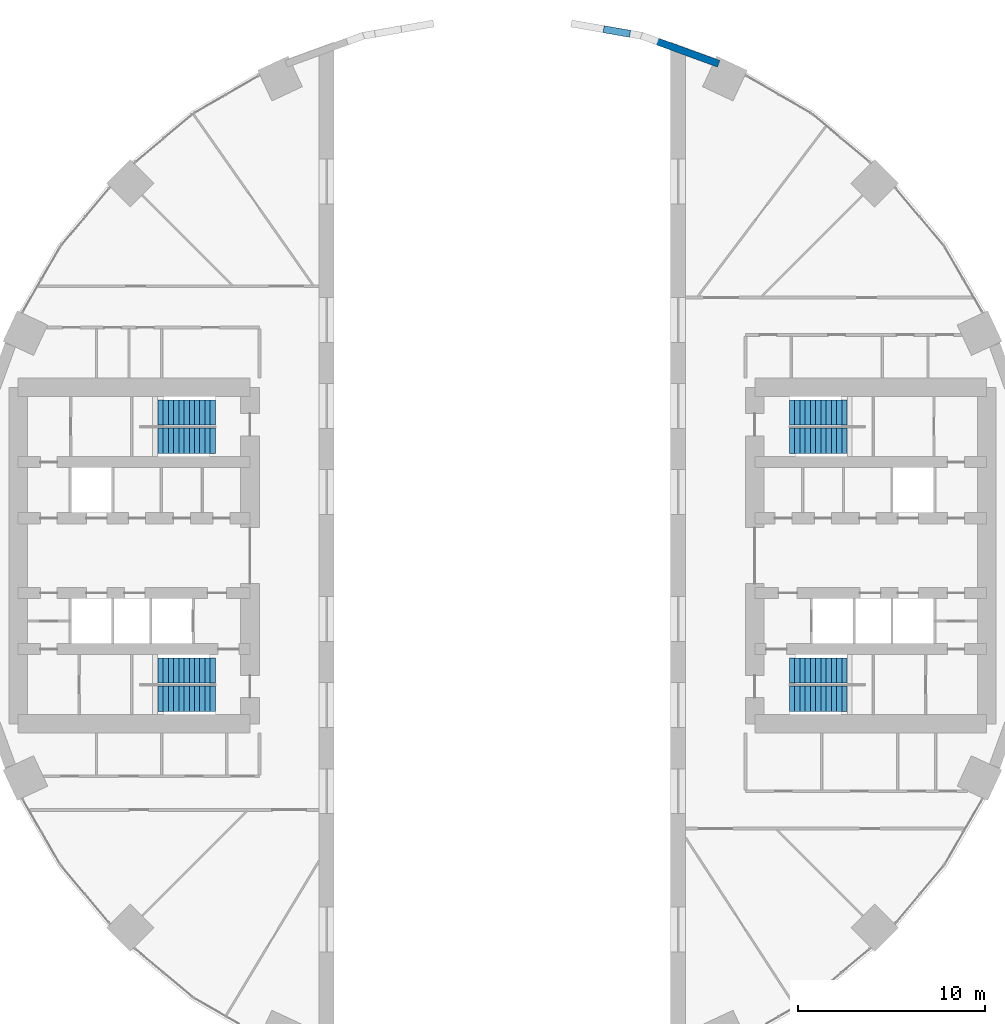
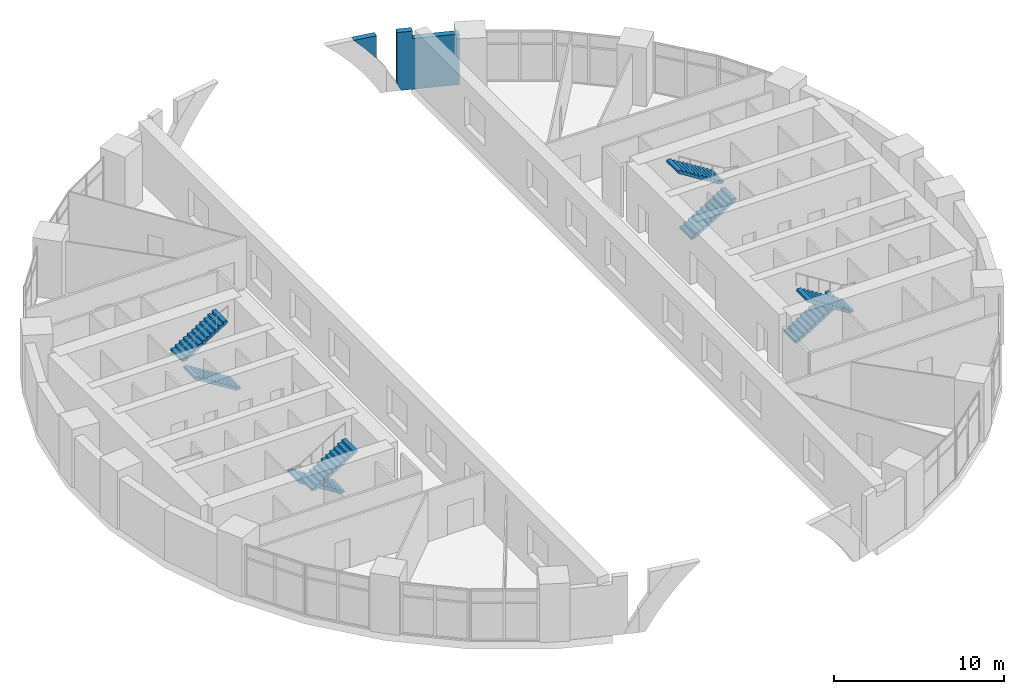
# One storey, part 12 of 13: 8 stair flights, 2 walls, 4 elements without a shape of their own.
"""IFC4 building model written with IfcOpenShell, lengths in metres."""

from ifc_helpers import new_model, si_unit, direction, frame, origin, place, context, subcontext, project, spatial, polyline, outline, extrude, material, layer, layer_set, type_object, element, aggregate, save


model = new_model("IFC4")

# Units and contexts
model_context = context("Model", 3, precision=1e-05, world=origin(), true_north=direction((0.0, 1.0)))
body_context = subcontext(model_context, "Body", "Model", "MODEL_VIEW")
ifc_project = project(units=[si_unit("LENGTHUNIT", "METRE"), si_unit("AREAUNIT", "SQUARE_METRE"), si_unit("VOLUMEUNIT", "CUBIC_METRE"), si_unit("PLANEANGLEUNIT", "RADIAN"), si_unit("MASSUNIT", "GRAM", prefix="KILO")], contexts=[model_context])

# Site, building, storey
site_placement = place(None, origin())
site = spatial("IfcSite", under=ifc_project, at=site_placement, CompositionType="ELEMENT")
building_placement = place(site_placement, origin())
building = spatial("IfcBuilding", under=site, at=building_placement, Name="Saqina Gate Tower", CompositionType="ELEMENT")
storey_placement = place(building_placement, frame((0.0, 0.0, 13.39990234375)))
storey = spatial("IfcBuildingStorey", under=building, at=storey_placement, Name="L03", CompositionType="ELEMENT", Elevation=13.39990234375)

# Walls
ifc_material_1 = material(Name="Glazed ceramic tile", Category="ceramic")
ifc_layer = layer(ifc_material_1, 0.3798828125)
ifc_layer_set = layer_set([ifc_layer], Name="FW-ARCH")
wall_type = type_object("IfcWallType", Name="FW-ARCH", PredefinedType="SOLIDWALL", material=ifc_layer_set)
wall_1_placement = place(storey_placement, frame((8.99072265625, 27.44287109375, 0.0), z_axis=(0.342026905008, 0.939688050207, 0.001991117406), x_axis=(0.93968991291, -0.342027583063, 3.2668e-08)))
element("IfcWall", 1, at=wall_1_placement, inside=storey, type_object=wall_type, Name="Arch frame wall L03 facet 7", PredefinedType="SOLIDWALL", context=body_context, shape_type="SweptSolid", body=[
    extrude(outline(polyline([(0.0, 0.0), (2.810119309704452, -2.168404344971009e-19), (2.8101633433033313, -3.650153701678554), (4.4033598879278454e-05, -3.650153701678554), (0.00023214922489823693, -4.200203889688386), (-0.9351393956652897, -4.200203611963998), (-0.9352440084634126, -3.65015388074659), (-0.9351834301494684, -0.5229503546293558), (-0.6567874697884446, -8.514178313821872e-08), (0.0, 0.0)])), origin(), (0.0, 0.0, -1.0), 0.3798828125),
])
wall_2_placement = place(storey_placement, frame((6.85498046875, 28.092041015625, 3.650146484375), z_axis=(0.173592249401, 0.984815515908, 0.002032381516), x_axis=(-0.000403885005, -0.001992521419, 0.999997933366)))
element("IfcWall", 2, at=wall_2_placement, inside=storey, type_object=wall_type, Name="Arch frame wall L03 facet 8", PredefinedType="SOLIDWALL", context=body_context, shape_type="SweptSolid", body=[
    extrude(outline(polyline([(0.0, 0.0), (0.5500502222569829, 1.3552527156068805e-20), (0.550124360957558, -1.4326541699575994), (-0.17720772804126542, -0.745017593453658), (-1.0874041853396872, 8.54205205334078e-05), (0.0, 0.0)])), origin(), (0.0, 0.0, -1.0), 0.3798828125),
])

# Stair, stair flights
ifc_material_2 = material(Name="Concrete C40/50", Category="concrete")
stair_type = type_object("IfcStairType", Name="EXIT STAIR", PredefinedType="HALF_TURN_STAIR", material=ifc_material_2)
stair_1_placement = place(storey_placement, origin())
stair_1 = element("IfcStair", 3, at=stair_1_placement, inside=storey, type_object=stair_type, Name="EXIT STAIR 1", PredefinedType="HALF_TURN_STAIR")
ifc_material_3 = material(Name="Concrete C40/50", Category="concrete")
stair_flight_type = type_object("IfcStairFlightType", Name="EXIT STAIR FLIGHT", PredefinedType="STRAIGHT", material=ifc_material_3)
stair_flight_1_placement = place(storey_placement, frame((15.35009765625, 6.1416015625, 0.0), z_axis=(0.0, 0.0, 1.0), x_axis=(1.0, 0.0, 0.0)))
stair_flight_1 = element("IfcStairFlight", 4, at=stair_flight_1_placement, type_object=stair_flight_type, Name="EXIT STAIR 1 FLIGHT 1", NumberOfRisers=12, NumberOfTreads=11, PredefinedType="STRAIGHT", RiserHeight=0.175, TreadLength=0.28, context=body_context, shape_type="SweptSolid", body=[
    extrude(outline(polyline([(0.0, 0.0), (0.0, 0.175048828125), (0.280029296875, 0.175048828125), (0.280029296875, 0.35009765625), (0.56005859375, 0.35009765625), (0.56005859375, 0.52490234375), (0.840087890625, 0.52490234375), (0.840087890625, 0.699951171875), (1.1201171875, 0.699951171875), (1.1201171875, 0.875), (1.39990234375, 0.875), (1.39990234375, 1.050048828125), (1.679931640625, 1.050048828125), (1.679931640625, 1.22509765625), (1.9599609375, 1.22509765625), (1.9599609375, 1.39990234375), (2.239990234375, 1.39990234375), (2.239990234375, 1.574951171875), (2.52001953125, 1.574951171875), (2.52001953125, 1.75), (2.800048828125, 1.75), (2.800048828125, 1.925048828125), (3.080078125, 1.925048828125), (3.080078125, 2.10009765625), (3.080078125, 1.748291015625), (0.28271484375, 0.0), (0.0, 0.0)])), frame((0.0, 0.675048828125, 0.0), z_axis=(0.0, -1.0, 0.0), x_axis=(1.0, 0.0, 0.0)), (0.0, 0.0, 1.0), 1.35009765625),
])
stair_flight_2_placement = place(storey_placement, frame((18.429931640625, 7.658447265625, 2.10009765625), z_axis=(0.0, 0.0, 1.0), x_axis=(-1.0, 0.0, 0.0)))
stair_flight_2 = element("IfcStairFlight", 5, at=stair_flight_2_placement, type_object=stair_flight_type, Name="EXIT STAIR 1 FLIGHT 2", NumberOfRisers=12, NumberOfTreads=11, PredefinedType="STRAIGHT", RiserHeight=0.175, TreadLength=0.28, context=body_context, shape_type="SweptSolid", body=[
    extrude(outline(polyline([(0.0, 0.0), (0.0, 0.175048828125), (0.280029296875, 0.175048828125), (0.280029296875, 0.35009765625), (0.56005859375, 0.35009765625), (0.56005859375, 0.52490234375), (0.840087890625, 0.52490234375), (0.840087890625, 0.699951171875), (1.1201171875, 0.699951171875), (1.1201171875, 0.875), (1.39990234375, 0.875), (1.39990234375, 1.050048828125), (1.679931640625, 1.050048828125), (1.679931640625, 1.22509765625), (1.9599609375, 1.22509765625), (1.9599609375, 1.39990234375), (2.239990234375, 1.39990234375), (2.239990234375, 1.574951171875), (2.52001953125, 1.574951171875), (2.52001953125, 1.75), (2.800048828125, 1.75), (2.800048828125, 1.925048828125), (3.080078125, 1.925048828125), (3.080078125, 2.10009765625), (3.080078125, 1.748291015625), (0.28271484375, 0.0), (0.0, 0.0)])), frame((0.0, 0.675048828125, 0.0), z_axis=(0.0, -1.0, 0.0), x_axis=(1.0, 0.0, 0.0)), (0.0, 0.0, 1.0), 1.35009765625),
])
aggregate(stair_1, [stair_flight_1, stair_flight_2])

stair_2_placement = place(storey_placement, origin())
stair_2 = element("IfcStair", 6, at=stair_2_placement, inside=storey, type_object=stair_type, Name="EXIT STAIR 2", PredefinedType="HALF_TURN_STAIR")
stair_flight_3_placement = place(storey_placement, frame((15.35009765625, -6.1416015625, 0.0), z_axis=(0.0, 0.0, 1.0), x_axis=(1.0, 0.0, 0.0)))
stair_flight_3 = element("IfcStairFlight", 7, at=stair_flight_3_placement, type_object=stair_flight_type, Name="EXIT STAIR 2 FLIGHT 1", NumberOfRisers=12, NumberOfTreads=11, PredefinedType="STRAIGHT", RiserHeight=0.175, TreadLength=0.28, context=body_context, shape_type="SweptSolid", body=[
    extrude(outline(polyline([(0.0, 0.0), (0.0, 0.175048828125), (0.280029296875, 0.175048828125), (0.280029296875, 0.35009765625), (0.56005859375, 0.35009765625), (0.56005859375, 0.52490234375), (0.840087890625, 0.52490234375), (0.840087890625, 0.699951171875), (1.1201171875, 0.699951171875), (1.1201171875, 0.875), (1.39990234375, 0.875), (1.39990234375, 1.050048828125), (1.679931640625, 1.050048828125), (1.679931640625, 1.22509765625), (1.9599609375, 1.22509765625), (1.9599609375, 1.39990234375), (2.239990234375, 1.39990234375), (2.239990234375, 1.574951171875), (2.52001953125, 1.574951171875), (2.52001953125, 1.75), (2.800048828125, 1.75), (2.800048828125, 1.925048828125), (3.080078125, 1.925048828125), (3.080078125, 2.10009765625), (3.080078125, 1.748291015625), (0.28271484375, 0.0), (0.0, 0.0)])), frame((0.0, 0.675048828125, 0.0), z_axis=(0.0, -1.0, 0.0), x_axis=(1.0, 0.0, 0.0)), (0.0, 0.0, 1.0), 1.35009765625),
])
stair_flight_4_placement = place(storey_placement, frame((18.429931640625, -7.658447265625, 2.10009765625), z_axis=(0.0, 0.0, 1.0), x_axis=(-1.0, 0.0, 0.0)))
stair_flight_4 = element("IfcStairFlight", 8, at=stair_flight_4_placement, type_object=stair_flight_type, Name="EXIT STAIR 2 FLIGHT 2", NumberOfRisers=12, NumberOfTreads=11, PredefinedType="STRAIGHT", RiserHeight=0.175, TreadLength=0.28, context=body_context, shape_type="SweptSolid", body=[
    extrude(outline(polyline([(0.0, 0.0), (0.0, 0.175048828125), (0.280029296875, 0.175048828125), (0.280029296875, 0.35009765625), (0.56005859375, 0.35009765625), (0.56005859375, 0.52490234375), (0.840087890625, 0.52490234375), (0.840087890625, 0.699951171875), (1.1201171875, 0.699951171875), (1.1201171875, 0.875), (1.39990234375, 0.875), (1.39990234375, 1.050048828125), (1.679931640625, 1.050048828125), (1.679931640625, 1.22509765625), (1.9599609375, 1.22509765625), (1.9599609375, 1.39990234375), (2.239990234375, 1.39990234375), (2.239990234375, 1.574951171875), (2.52001953125, 1.574951171875), (2.52001953125, 1.75), (2.800048828125, 1.75), (2.800048828125, 1.925048828125), (3.080078125, 1.925048828125), (3.080078125, 2.10009765625), (3.080078125, 1.748291015625), (0.28271484375, 0.0), (0.0, 0.0)])), frame((0.0, 0.675048828125, 0.0), z_axis=(0.0, -1.0, 0.0), x_axis=(1.0, 0.0, 0.0)), (0.0, 0.0, 1.0), 1.35009765625),
])
aggregate(stair_2, [stair_flight_3, stair_flight_4])

stair_3_placement = place(storey_placement, origin())
stair_3 = element("IfcStair", 9, at=stair_3_placement, inside=storey, type_object=stair_type, Name="EXIT STAIR 3", PredefinedType="HALF_TURN_STAIR")
stair_flight_5_placement = place(storey_placement, frame((-15.35009765625, 6.1416015625, 0.0), z_axis=(0.0, 0.0, 1.0), x_axis=(-1.0, 0.0, 0.0)))
stair_flight_5 = element("IfcStairFlight", 10, at=stair_flight_5_placement, type_object=stair_flight_type, Name="EXIT STAIR 3 FLIGHT 1", NumberOfRisers=12, NumberOfTreads=11, PredefinedType="STRAIGHT", RiserHeight=0.175, TreadLength=0.28, context=body_context, shape_type="SweptSolid", body=[
    extrude(outline(polyline([(0.0, 0.0), (0.0, 0.175048828125), (0.280029296875, 0.175048828125), (0.280029296875, 0.35009765625), (0.56005859375, 0.35009765625), (0.56005859375, 0.52490234375), (0.840087890625, 0.52490234375), (0.840087890625, 0.699951171875), (1.1201171875, 0.699951171875), (1.1201171875, 0.875), (1.39990234375, 0.875), (1.39990234375, 1.050048828125), (1.679931640625, 1.050048828125), (1.679931640625, 1.22509765625), (1.9599609375, 1.22509765625), (1.9599609375, 1.39990234375), (2.239990234375, 1.39990234375), (2.239990234375, 1.574951171875), (2.52001953125, 1.574951171875), (2.52001953125, 1.75), (2.800048828125, 1.75), (2.800048828125, 1.925048828125), (3.080078125, 1.925048828125), (3.080078125, 2.10009765625), (3.080078125, 1.748291015625), (0.28271484375, 0.0), (0.0, 0.0)])), frame((0.0, 0.675048828125, 0.0), z_axis=(0.0, -1.0, 0.0), x_axis=(1.0, 0.0, 0.0)), (0.0, 0.0, 1.0), 1.35009765625),
])
stair_flight_6_placement = place(storey_placement, frame((-18.429931640625, 7.658447265625, 2.10009765625), z_axis=(0.0, 0.0, 1.0), x_axis=(1.0, 0.0, 0.0)))
stair_flight_6 = element("IfcStairFlight", 11, at=stair_flight_6_placement, type_object=stair_flight_type, Name="EXIT STAIR 3 FLIGHT 2", NumberOfRisers=12, NumberOfTreads=11, PredefinedType="STRAIGHT", RiserHeight=0.175, TreadLength=0.28, context=body_context, shape_type="SweptSolid", body=[
    extrude(outline(polyline([(0.0, 0.0), (0.0, 0.175048828125), (0.280029296875, 0.175048828125), (0.280029296875, 0.35009765625), (0.56005859375, 0.35009765625), (0.56005859375, 0.52490234375), (0.840087890625, 0.52490234375), (0.840087890625, 0.699951171875), (1.1201171875, 0.699951171875), (1.1201171875, 0.875), (1.39990234375, 0.875), (1.39990234375, 1.050048828125), (1.679931640625, 1.050048828125), (1.679931640625, 1.22509765625), (1.9599609375, 1.22509765625), (1.9599609375, 1.39990234375), (2.239990234375, 1.39990234375), (2.239990234375, 1.574951171875), (2.52001953125, 1.574951171875), (2.52001953125, 1.75), (2.800048828125, 1.75), (2.800048828125, 1.925048828125), (3.080078125, 1.925048828125), (3.080078125, 2.10009765625), (3.080078125, 1.748291015625), (0.28271484375, 0.0), (0.0, 0.0)])), frame((0.0, 0.675048828125, 0.0), z_axis=(0.0, -1.0, 0.0), x_axis=(1.0, 0.0, 0.0)), (0.0, 0.0, 1.0), 1.35009765625),
])
aggregate(stair_3, [stair_flight_5, stair_flight_6])

stair_4_placement = place(storey_placement, origin())
stair_4 = element("IfcStair", 12, at=stair_4_placement, inside=storey, type_object=stair_type, Name="EXIT STAIR 4", PredefinedType="HALF_TURN_STAIR")
stair_flight_7_placement = place(storey_placement, frame((-15.35009765625, -6.1416015625, 0.0), z_axis=(0.0, 0.0, 1.0), x_axis=(-1.0, 0.0, 0.0)))
stair_flight_7 = element("IfcStairFlight", 13, at=stair_flight_7_placement, type_object=stair_flight_type, Name="EXIT STAIR 4 FLIGHT 1", NumberOfRisers=12, NumberOfTreads=11, PredefinedType="STRAIGHT", RiserHeight=0.175, TreadLength=0.28, context=body_context, shape_type="SweptSolid", body=[
    extrude(outline(polyline([(0.0, 0.0), (0.0, 0.175048828125), (0.280029296875, 0.175048828125), (0.280029296875, 0.35009765625), (0.56005859375, 0.35009765625), (0.56005859375, 0.52490234375), (0.840087890625, 0.52490234375), (0.840087890625, 0.699951171875), (1.1201171875, 0.699951171875), (1.1201171875, 0.875), (1.39990234375, 0.875), (1.39990234375, 1.050048828125), (1.679931640625, 1.050048828125), (1.679931640625, 1.22509765625), (1.9599609375, 1.22509765625), (1.9599609375, 1.39990234375), (2.239990234375, 1.39990234375), (2.239990234375, 1.574951171875), (2.52001953125, 1.574951171875), (2.52001953125, 1.75), (2.800048828125, 1.75), (2.800048828125, 1.925048828125), (3.080078125, 1.925048828125), (3.080078125, 2.10009765625), (3.080078125, 1.748291015625), (0.28271484375, 0.0), (0.0, 0.0)])), frame((0.0, 0.675048828125, 0.0), z_axis=(0.0, -1.0, 0.0), x_axis=(1.0, 0.0, 0.0)), (0.0, 0.0, 1.0), 1.35009765625),
])
stair_flight_8_placement = place(storey_placement, frame((-18.429931640625, -7.658447265625, 2.10009765625), z_axis=(0.0, 0.0, 1.0), x_axis=(1.0, 0.0, 0.0)))
stair_flight_8 = element("IfcStairFlight", 14, at=stair_flight_8_placement, type_object=stair_flight_type, Name="EXIT STAIR 4 FLIGHT 2", NumberOfRisers=12, NumberOfTreads=11, PredefinedType="STRAIGHT", RiserHeight=0.175, TreadLength=0.28, context=body_context, shape_type="SweptSolid", body=[
    extrude(outline(polyline([(0.0, 0.0), (0.0, 0.175048828125), (0.280029296875, 0.175048828125), (0.280029296875, 0.35009765625), (0.56005859375, 0.35009765625), (0.56005859375, 0.52490234375), (0.840087890625, 0.52490234375), (0.840087890625, 0.699951171875), (1.1201171875, 0.699951171875), (1.1201171875, 0.875), (1.39990234375, 0.875), (1.39990234375, 1.050048828125), (1.679931640625, 1.050048828125), (1.679931640625, 1.22509765625), (1.9599609375, 1.22509765625), (1.9599609375, 1.39990234375), (2.239990234375, 1.39990234375), (2.239990234375, 1.574951171875), (2.52001953125, 1.574951171875), (2.52001953125, 1.75), (2.800048828125, 1.75), (2.800048828125, 1.925048828125), (3.080078125, 1.925048828125), (3.080078125, 2.10009765625), (3.080078125, 1.748291015625), (0.28271484375, 0.0), (0.0, 0.0)])), frame((0.0, 0.675048828125, 0.0), z_axis=(0.0, -1.0, 0.0), x_axis=(1.0, 0.0, 0.0)), (0.0, 0.0, 1.0), 1.35009765625),
])
aggregate(stair_4, [stair_flight_7, stair_flight_8])

save(model, "model.ifc")
